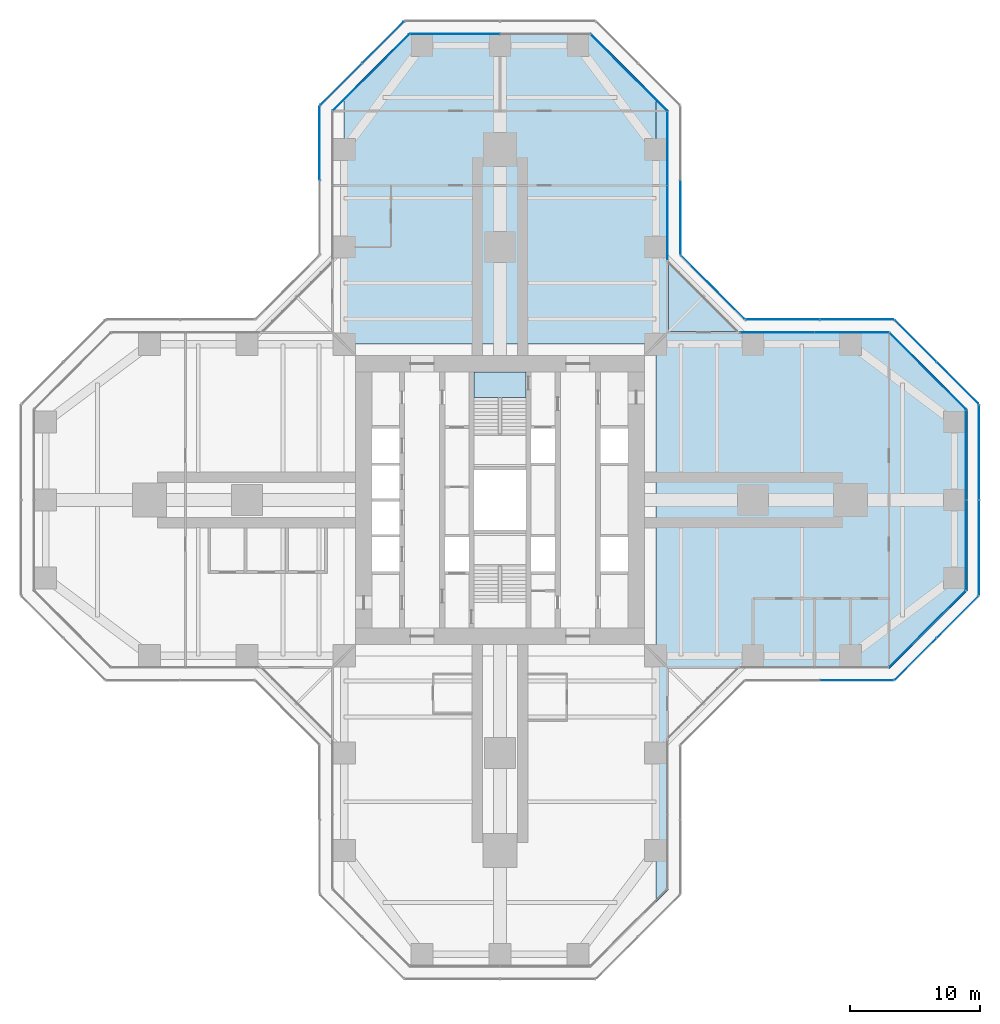
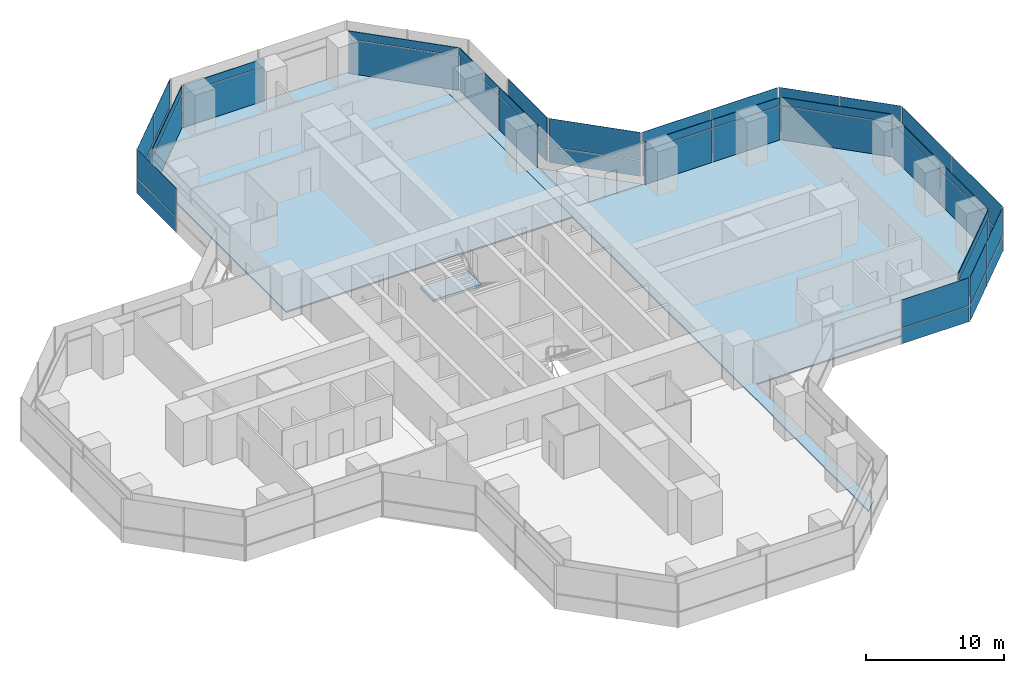
# One storey, part 16 of 22: 50 plates, 4 slabs, 18 elements without a shape of their own.
"""IFC4 building model written with IfcOpenShell, lengths in metres."""

from ifc_helpers import new_model, si_unit, direction, frame, origin, origin_2d, place, context, subcontext, project, spatial, polyline, rectangle, outline, extrude, material, layer, layer_set, type_object, element, aggregate, save


model = new_model("IFC4")

# Units and contexts
model_context = context("Model", 3, precision=1e-05, world=origin(), true_north=direction((0.0, 1.0)))
body_context = subcontext(model_context, "Body", "Model", "MODEL_VIEW")
ifc_project = project(units=[si_unit("LENGTHUNIT", "METRE"), si_unit("AREAUNIT", "SQUARE_METRE"), si_unit("VOLUMEUNIT", "CUBIC_METRE"), si_unit("PLANEANGLEUNIT", "RADIAN"), si_unit("MASSUNIT", "GRAM", prefix="KILO")], contexts=[model_context])

# Site, building, storey
site_placement = place(None, origin())
site = spatial("IfcSite", under=ifc_project, at=site_placement, CompositionType="ELEMENT")
building_placement = place(site_placement, origin())
building = spatial("IfcBuilding", under=site, at=building_placement, Name="Mizan Broadcast Tower", CompositionType="ELEMENT")
storey_placement = place(building_placement, frame((0.0, 0.0, 43.5)))
storey = spatial("IfcBuildingStorey", under=building, at=storey_placement, Name="L07", CompositionType="ELEMENT", Elevation=43.5)

# Slabs
ifc_material_1 = material(Name="Concrete C32/40", Category="concrete")
ifc_layer_1 = layer(ifc_material_1, 0.1298828125)
ifc_layer_set_1 = layer_set([ifc_layer_1], Name="Concrete C32/40")
slab_type_1 = type_object("IfcSlabType", Name="COMPOSITE DECK SLAB 130", PredefinedType="FLOOR", material=ifc_layer_set_1)
slab_1_placement = place(storey_placement, frame((0.0, 0.0, -0.1298828125)))
element("IfcSlab", 1, at=slab_1_placement, inside=storey, type_object=slab_type_1, Name="Floor slab L07 east arm", PredefinedType="FLOOR", context=body_context, shape_type="SweptSolid", body=[
    extrude(outline(polyline([(12.0, -31.0), (13.0, -30.0), (13.0, -13.0), (30.0, -13.0), (36.0, -7.0), (36.0, 7.0), (30.0, 13.0), (13.0, 13.0), (13.0, 30.0), (12.0, 31.0), (12.0, -31.0)])), origin(), (0.0, 0.0, 1.0), 0.1298828125),
])
slab_2_placement = place(storey_placement, frame((0.0, 0.0, -0.1298828125)))
element("IfcSlab", 2, at=slab_2_placement, inside=storey, type_object=slab_type_1, Name="Floor slab L07 north arm", PredefinedType="FLOOR", context=body_context, shape_type="SweptSolid", body=[
    extrude(outline(polyline([(-7.0, 36.0), (-12.0, 31.0), (-12.0, 12.0), (12.0, 12.0), (12.0, 31.0), (7.0, 36.0), (-7.0, 36.0)])), origin(), (0.0, 0.0, 1.0), 0.1298828125),
])

# Curtain wall, plate
ifc_material_2 = material(Name="Aluminium framed glazing", Category="aluminium")
curtain_wall_type_1 = type_object("IfcCurtainWallType", Name="INNER SKIN LOW ZONE", PredefinedType="USERDEFINED", material=ifc_material_2)
curtain_wall_1_placement = place(storey_placement, origin())
curtain_wall_1 = element("IfcCurtainWall", 3, at=curtain_wall_1_placement, inside=storey, type_object=curtain_wall_type_1, Name="Inner skin low zone L07 E chamfer", ObjectType="INNER SKIN LOW ZONE", PredefinedType="USERDEFINED")
ifc_material_3 = material(Name="Double glazing, clear low-e", Category="glass")
ifc_layer_2 = layer(ifc_material_3, 0.028076171875)
ifc_layer_set_2 = layer_set([ifc_layer_2], Name="Double glazing, clear low-e")
plate_type_1 = type_object("IfcPlateType", Name="INNER SKIN GLAZING UNIT", PredefinedType="CURTAIN_PANEL", material=ifc_layer_set_2)
plate_1_placement = place(storey_placement, frame((32.92919921875, -9.92919921875, 0.0), z_axis=(0.0, 0.0, 1.0), x_axis=(0.707106781187, 0.707106781187, 0.0)))
plate_1 = element("IfcPlate", 4, at=plate_1_placement, type_object=plate_type_1, Name="Inner skin low zone L07 E chamfer panel 1.1", PredefinedType="CURTAIN_PANEL", context=body_context, shape_type="SweptSolid", body=[
    extrude(rectangle(XDim=8.282470703125, YDim=0.028076171875, at=origin_2d()), origin(), (0.0, 0.0, 1.0), 3.0),
])

# Curtain wall, plates
curtain_wall_2_placement = place(storey_placement, origin())
curtain_wall_2 = element("IfcCurtainWall", 5, at=curtain_wall_2_placement, inside=storey, type_object=curtain_wall_type_1, Name="Inner skin low zone L07 E end", ObjectType="INNER SKIN LOW ZONE", PredefinedType="USERDEFINED")
plate_2_placement = place(storey_placement, frame((35.89990234375, -3.46435546875, 0.0), z_axis=(0.0, 0.0, 1.0), x_axis=(0.0, 1.0, 0.0)))
plate_2 = element("IfcPlate", 6, at=plate_2_placement, type_object=plate_type_1, Name="Inner skin low zone L07 E end panel 1.1", PredefinedType="CURTAIN_PANEL", context=body_context, shape_type="SweptSolid", body=[
    extrude(rectangle(XDim=6.86865234375, YDim=0.028076171875, at=origin_2d()), origin(), (0.0, 0.0, 1.0), 3.0),
])
plate_3_placement = place(storey_placement, frame((35.89990234375, 3.46435546875, 0.0), z_axis=(0.0, 0.0, 1.0), x_axis=(0.0, 1.0, 0.0)))
plate_3 = element("IfcPlate", 7, at=plate_3_placement, type_object=plate_type_1, Name="Inner skin low zone L07 E end panel 2.1", PredefinedType="CURTAIN_PANEL", context=body_context, shape_type="SweptSolid", body=[
    extrude(rectangle(XDim=6.86865234375, YDim=0.028076171875, at=origin_2d()), origin(), (0.0, 0.0, 1.0), 3.0),
])

# Curtain wall, plate
curtain_wall_3_placement = place(storey_placement, origin())
curtain_wall_3 = element("IfcCurtainWall", 8, at=curtain_wall_3_placement, inside=storey, type_object=curtain_wall_type_1, Name="Inner skin low zone L07 E chamfer", ObjectType="INNER SKIN LOW ZONE", PredefinedType="USERDEFINED")
plate_4_placement = place(storey_placement, frame((32.92919921875, 9.92919921875, 0.0), z_axis=(0.0, 0.0, 1.0), x_axis=(-0.707106781187, 0.707106781187, 0.0)))
plate_4 = element("IfcPlate", 9, at=plate_4_placement, type_object=plate_type_1, Name="Inner skin low zone L07 E chamfer panel 1.1", PredefinedType="CURTAIN_PANEL", context=body_context, shape_type="SweptSolid", body=[
    extrude(rectangle(XDim=8.282470703125, YDim=0.028076171875, at=origin_2d()), origin(), (0.0, 0.0, 1.0), 3.0),
])

# Curtain wall, plates
curtain_wall_4_placement = place(storey_placement, origin())
curtain_wall_4 = element("IfcCurtainWall", 10, at=curtain_wall_4_placement, inside=storey, type_object=curtain_wall_type_1, Name="Inner skin low zone L07 E side", ObjectType="INNER SKIN LOW ZONE", PredefinedType="USERDEFINED")
plate_5_placement = place(storey_placement, frame((27.078857421875, 12.89990234375, 0.0), z_axis=(0.0, 0.0, 1.0), x_axis=(-1.0, 0.0, 0.0)))
plate_5 = element("IfcPlate", 11, at=plate_5_placement, type_object=plate_type_1, Name="Inner skin low zone L07 E side panel 1.1", PredefinedType="CURTAIN_PANEL", context=body_context, shape_type="SweptSolid", body=[
    extrude(rectangle(XDim=5.639404296875, YDim=0.028076171875, at=origin_2d()), origin(), (0.0, 0.0, 1.0), 3.0),
])
plate_6_placement = place(storey_placement, frame((21.379638671875, 12.89990234375, 0.0), z_axis=(0.0, 0.0, 1.0), x_axis=(-1.0, 0.0, 0.0)))
plate_6 = element("IfcPlate", 12, at=plate_6_placement, type_object=plate_type_1, Name="Inner skin low zone L07 E side panel 2.1", PredefinedType="CURTAIN_PANEL", context=body_context, shape_type="SweptSolid", body=[
    extrude(rectangle(XDim=5.639404296875, YDim=0.028076171875, at=origin_2d()), origin(), (0.0, 0.0, 1.0), 3.0),
])

curtain_wall_5_placement = place(storey_placement, origin())
curtain_wall_5 = element("IfcCurtainWall", 13, at=curtain_wall_5_placement, inside=storey, type_object=curtain_wall_type_1, Name="Inner skin low zone L07 N side", ObjectType="INNER SKIN LOW ZONE", PredefinedType="USERDEFINED")
plate_7_placement = place(storey_placement, frame((12.89990234375, 21.379638671875, 0.0), z_axis=(0.0, 0.0, 1.0), x_axis=(0.0, 1.0, 0.0)))
plate_7 = element("IfcPlate", 14, at=plate_7_placement, type_object=plate_type_1, Name="Inner skin low zone L07 N side panel 1.1", PredefinedType="CURTAIN_PANEL", context=body_context, shape_type="SweptSolid", body=[
    extrude(rectangle(XDim=5.639404296875, YDim=0.028076171875, at=origin_2d()), origin(), (0.0, 0.0, 1.0), 3.0),
])
plate_8_placement = place(storey_placement, frame((12.89990234375, 27.078857421875, 0.0), z_axis=(0.0, 0.0, 1.0), x_axis=(0.0, 1.0, 0.0)))
plate_8 = element("IfcPlate", 15, at=plate_8_placement, type_object=plate_type_1, Name="Inner skin low zone L07 N side panel 2.1", PredefinedType="CURTAIN_PANEL", context=body_context, shape_type="SweptSolid", body=[
    extrude(rectangle(XDim=5.639404296875, YDim=0.028076171875, at=origin_2d()), origin(), (0.0, 0.0, 1.0), 3.0),
])

# Curtain wall, plate
curtain_wall_6_placement = place(storey_placement, origin())
curtain_wall_6 = element("IfcCurtainWall", 16, at=curtain_wall_6_placement, inside=storey, type_object=curtain_wall_type_1, Name="Inner skin low zone L07 N chamfer", ObjectType="INNER SKIN LOW ZONE", PredefinedType="USERDEFINED")
plate_9_placement = place(storey_placement, frame((9.92919921875, 32.92919921875, 0.0), z_axis=(0.0, 0.0, 1.0), x_axis=(-0.707106781187, 0.707106781187, 0.0)))
plate_9 = element("IfcPlate", 17, at=plate_9_placement, type_object=plate_type_1, Name="Inner skin low zone L07 N chamfer panel 1.1", PredefinedType="CURTAIN_PANEL", context=body_context, shape_type="SweptSolid", body=[
    extrude(rectangle(XDim=8.282470703125, YDim=0.028076171875, at=origin_2d()), origin(), (0.0, 0.0, 1.0), 3.0),
])

curtain_wall_7_placement = place(storey_placement, origin())
curtain_wall_7 = element("IfcCurtainWall", 18, at=curtain_wall_7_placement, inside=storey, type_object=curtain_wall_type_1, Name="Inner skin low zone L07 N end", ObjectType="INNER SKIN LOW ZONE", PredefinedType="USERDEFINED")
plate_10_placement = place(storey_placement, frame((-3.46435546875, 35.89990234375, 0.0), z_axis=(0.0, 0.0, 1.0), x_axis=(-1.0, 0.0, 0.0)))
plate_10 = element("IfcPlate", 19, at=plate_10_placement, type_object=plate_type_1, Name="Inner skin low zone L07 N end panel 2.1", PredefinedType="CURTAIN_PANEL", context=body_context, shape_type="SweptSolid", body=[
    extrude(rectangle(XDim=6.86865234375, YDim=0.028076171875, at=origin_2d()), origin(), (0.0, 0.0, 1.0), 3.0),
])

curtain_wall_8_placement = place(storey_placement, origin())
curtain_wall_8 = element("IfcCurtainWall", 20, at=curtain_wall_8_placement, inside=storey, type_object=curtain_wall_type_1, Name="Inner skin low zone L07 N chamfer", ObjectType="INNER SKIN LOW ZONE", PredefinedType="USERDEFINED")
plate_11_placement = place(storey_placement, frame((-9.92919921875, 32.92919921875, 0.0), z_axis=(0.0, 0.0, 1.0), x_axis=(-0.707106781187, -0.707106781187, 0.0)))
plate_11 = element("IfcPlate", 21, at=plate_11_placement, type_object=plate_type_1, Name="Inner skin low zone L07 N chamfer panel 1.1", PredefinedType="CURTAIN_PANEL", context=body_context, shape_type="SweptSolid", body=[
    extrude(rectangle(XDim=8.282470703125, YDim=0.028076171875, at=origin_2d()), origin(), (0.0, 0.0, 1.0), 3.0),
])

# Plate
ifc_material_4 = material(Name="Insulated aluminium spandrel panel, pale anodised", Category="aluminium")
ifc_layer_3 = layer(ifc_material_4, 0.050048828125)
ifc_layer_set_3 = layer_set([ifc_layer_3], Name="Insulated aluminium spandrel panel, pale anodised")
plate_type_2 = type_object("IfcPlateType", Name="INNER SKIN SPANDREL PANEL", PredefinedType="CURTAIN_PANEL", material=ifc_layer_set_3)
plate_12_placement = place(storey_placement, frame((32.92919921875, -9.92919921875, 3.06005859375), z_axis=(0.0, 0.0, 1.0), x_axis=(0.707106781187, 0.707106781187, 0.0)))
plate_12 = element("IfcPlate", 22, at=plate_12_placement, type_object=plate_type_2, Name="Inner skin low zone L07 E chamfer panel 1.2", PredefinedType="CURTAIN_PANEL", context=body_context, shape_type="SweptSolid", body=[
    extrude(rectangle(XDim=8.282470703125, YDim=0.050048828125, at=origin_2d()), origin(), (0.0, 0.0, 1.0), 0.7099609375),
])

aggregate(curtain_wall_1, [plate_1, plate_12])

plate_13_placement = place(storey_placement, frame((35.89990234375, -3.46435546875, 3.06005859375), z_axis=(0.0, 0.0, 1.0), x_axis=(0.0, 1.0, 0.0)))
plate_13 = element("IfcPlate", 23, at=plate_13_placement, type_object=plate_type_2, Name="Inner skin low zone L07 E end panel 1.2", PredefinedType="CURTAIN_PANEL", context=body_context, shape_type="SweptSolid", body=[
    extrude(rectangle(XDim=6.86865234375, YDim=0.050048828125, at=origin_2d()), origin(), (0.0, 0.0, 1.0), 0.7099609375),
])

plate_14_placement = place(storey_placement, frame((35.89990234375, 3.46435546875, 3.06005859375), z_axis=(0.0, 0.0, 1.0), x_axis=(0.0, 1.0, 0.0)))
plate_14 = element("IfcPlate", 24, at=plate_14_placement, type_object=plate_type_2, Name="Inner skin low zone L07 E end panel 2.2", PredefinedType="CURTAIN_PANEL", context=body_context, shape_type="SweptSolid", body=[
    extrude(rectangle(XDim=6.86865234375, YDim=0.050048828125, at=origin_2d()), origin(), (0.0, 0.0, 1.0), 0.7099609375),
])

aggregate(curtain_wall_2, [plate_2, plate_13, plate_3, plate_14])

plate_15_placement = place(storey_placement, frame((32.92919921875, 9.92919921875, 3.06005859375), z_axis=(0.0, 0.0, 1.0), x_axis=(-0.707106781187, 0.707106781187, 0.0)))
plate_15 = element("IfcPlate", 25, at=plate_15_placement, type_object=plate_type_2, Name="Inner skin low zone L07 E chamfer panel 1.2", PredefinedType="CURTAIN_PANEL", context=body_context, shape_type="SweptSolid", body=[
    extrude(rectangle(XDim=8.282470703125, YDim=0.050048828125, at=origin_2d()), origin(), (0.0, 0.0, 1.0), 0.7099609375),
])

aggregate(curtain_wall_3, [plate_4, plate_15])

plate_16_placement = place(storey_placement, frame((27.078857421875, 12.89990234375, 3.06005859375), z_axis=(0.0, 0.0, 1.0), x_axis=(-1.0, 0.0, 0.0)))
plate_16 = element("IfcPlate", 26, at=plate_16_placement, type_object=plate_type_2, Name="Inner skin low zone L07 E side panel 1.2", PredefinedType="CURTAIN_PANEL", context=body_context, shape_type="SweptSolid", body=[
    extrude(rectangle(XDim=5.639404296875, YDim=0.050048828125, at=origin_2d()), origin(), (0.0, 0.0, 1.0), 0.7099609375),
])

plate_17_placement = place(storey_placement, frame((21.379638671875, 12.89990234375, 3.06005859375), z_axis=(0.0, 0.0, 1.0), x_axis=(-1.0, 0.0, 0.0)))
plate_17 = element("IfcPlate", 27, at=plate_17_placement, type_object=plate_type_2, Name="Inner skin low zone L07 E side panel 2.2", PredefinedType="CURTAIN_PANEL", context=body_context, shape_type="SweptSolid", body=[
    extrude(rectangle(XDim=5.639404296875, YDim=0.050048828125, at=origin_2d()), origin(), (0.0, 0.0, 1.0), 0.7099609375),
])

aggregate(curtain_wall_4, [plate_5, plate_16, plate_6, plate_17])

plate_18_placement = place(storey_placement, frame((12.89990234375, 21.379638671875, 3.06005859375), z_axis=(0.0, 0.0, 1.0), x_axis=(0.0, 1.0, 0.0)))
plate_18 = element("IfcPlate", 28, at=plate_18_placement, type_object=plate_type_2, Name="Inner skin low zone L07 N side panel 1.2", PredefinedType="CURTAIN_PANEL", context=body_context, shape_type="SweptSolid", body=[
    extrude(rectangle(XDim=5.639404296875, YDim=0.050048828125, at=origin_2d()), origin(), (0.0, 0.0, 1.0), 0.7099609375),
])

plate_19_placement = place(storey_placement, frame((12.89990234375, 27.078857421875, 3.06005859375), z_axis=(0.0, 0.0, 1.0), x_axis=(0.0, 1.0, 0.0)))
plate_19 = element("IfcPlate", 29, at=plate_19_placement, type_object=plate_type_2, Name="Inner skin low zone L07 N side panel 2.2", PredefinedType="CURTAIN_PANEL", context=body_context, shape_type="SweptSolid", body=[
    extrude(rectangle(XDim=5.639404296875, YDim=0.050048828125, at=origin_2d()), origin(), (0.0, 0.0, 1.0), 0.7099609375),
])

aggregate(curtain_wall_5, [plate_7, plate_18, plate_8, plate_19])

plate_20_placement = place(storey_placement, frame((9.92919921875, 32.92919921875, 3.06005859375), z_axis=(0.0, 0.0, 1.0), x_axis=(-0.707106781187, 0.707106781187, 0.0)))
plate_20 = element("IfcPlate", 30, at=plate_20_placement, type_object=plate_type_2, Name="Inner skin low zone L07 N chamfer panel 1.2", PredefinedType="CURTAIN_PANEL", context=body_context, shape_type="SweptSolid", body=[
    extrude(rectangle(XDim=8.282470703125, YDim=0.050048828125, at=origin_2d()), origin(), (0.0, 0.0, 1.0), 0.7099609375),
])

aggregate(curtain_wall_6, [plate_9, plate_20])

plate_21_placement = place(storey_placement, frame((-3.46435546875, 35.89990234375, 3.06005859375), z_axis=(0.0, 0.0, 1.0), x_axis=(-1.0, 0.0, 0.0)))
plate_21 = element("IfcPlate", 31, at=plate_21_placement, type_object=plate_type_2, Name="Inner skin low zone L07 N end panel 2.2", PredefinedType="CURTAIN_PANEL", context=body_context, shape_type="SweptSolid", body=[
    extrude(rectangle(XDim=6.86865234375, YDim=0.050048828125, at=origin_2d()), origin(), (0.0, 0.0, 1.0), 0.7099609375),
])

aggregate(curtain_wall_7, [plate_10, plate_21])

plate_22_placement = place(storey_placement, frame((-9.92919921875, 32.92919921875, 3.06005859375), z_axis=(0.0, 0.0, 1.0), x_axis=(-0.707106781187, -0.707106781187, 0.0)))
plate_22 = element("IfcPlate", 32, at=plate_22_placement, type_object=plate_type_2, Name="Inner skin low zone L07 N chamfer panel 1.2", PredefinedType="CURTAIN_PANEL", context=body_context, shape_type="SweptSolid", body=[
    extrude(rectangle(XDim=8.282470703125, YDim=0.050048828125, at=origin_2d()), origin(), (0.0, 0.0, 1.0), 0.7099609375),
])

aggregate(curtain_wall_8, [plate_11, plate_22])

# Curtain wall, plates
ifc_material_5 = material(Name="Aluminium framed glazing", Category="aluminium")
curtain_wall_type_2 = type_object("IfcCurtainWallType", Name="OUTER SKIN", PredefinedType="USERDEFINED", material=ifc_material_5)
curtain_wall_9_placement = place(storey_placement, origin())
curtain_wall_9 = element("IfcCurtainWall", 33, at=curtain_wall_9_placement, inside=storey, type_object=curtain_wall_type_2, Name="Outer skin L07 E chamfer", ObjectType="OUTER SKIN", PredefinedType="USERDEFINED")
ifc_material_6 = material(Name="Laminated clear glass", Category="glass")
ifc_layer_4 = layer(ifc_material_6, 0.02001953125)
ifc_layer_set_4 = layer_set([ifc_layer_4], Name="Laminated clear glass")
plate_type_3 = type_object("IfcPlateType", Name="OUTER SKIN CLEAR GLASS", PredefinedType="CURTAIN_PANEL", material=ifc_layer_set_4)
plate_23_placement = place(storey_placement, frame((32.018798828125, -12.254150390625, 0.0), z_axis=(0.0, 0.0, 1.0), x_axis=(0.707106781187, 0.707106781187, 0.0)))
plate_23 = element("IfcPlate", 34, at=plate_23_placement, type_object=plate_type_3, Name="Outer skin L07 E chamfer panel 1.1", PredefinedType="CURTAIN_PANEL", context=body_context, shape_type="SweptSolid", body=[
    extrude(rectangle(XDim=4.495361328125, YDim=0.02001953125, at=origin_2d()), origin(), (0.0, 0.0, 1.0), 1.3701171875),
])
plate_24_placement = place(storey_placement, frame((32.018798828125, -12.254150390625, 1.43017578125), z_axis=(0.0, 0.0, 1.0), x_axis=(0.707106781187, 0.707106781187, 0.0)))
plate_24 = element("IfcPlate", 35, at=plate_24_placement, type_object=plate_type_3, Name="Outer skin L07 E chamfer panel 1.2", PredefinedType="CURTAIN_PANEL", context=body_context, shape_type="SweptSolid", body=[
    extrude(rectangle(XDim=4.495361328125, YDim=0.02001953125, at=origin_2d()), origin(), (0.0, 0.0, 1.0), 2.469970703125),
])

curtain_wall_10_placement = place(storey_placement, origin())
curtain_wall_10 = element("IfcCurtainWall", 36, at=curtain_wall_10_placement, inside=storey, type_object=curtain_wall_type_2, Name="Outer skin L07 E end", ObjectType="OUTER SKIN", PredefinedType="USERDEFINED")
plate_25_placement = place(storey_placement, frame((36.89990234375, -3.66650390625, 0.0), z_axis=(0.0, 0.0, 1.0), x_axis=(0.0, 1.0, 0.0)))
plate_25 = element("IfcPlate", 37, at=plate_25_placement, type_object=plate_type_3, Name="Outer skin L07 E end panel 1.1", PredefinedType="CURTAIN_PANEL", context=body_context, shape_type="SweptSolid", body=[
    extrude(rectangle(XDim=7.252685546875, YDim=0.02001953125, at=origin_2d()), origin(), (0.0, 0.0, 1.0), 1.3701171875),
])
plate_26_placement = place(storey_placement, frame((36.89990234375, -3.66650390625, 1.43017578125), z_axis=(0.0, 0.0, 1.0), x_axis=(0.0, 1.0, 0.0)))
plate_26 = element("IfcPlate", 38, at=plate_26_placement, type_object=plate_type_3, Name="Outer skin L07 E end panel 1.2", PredefinedType="CURTAIN_PANEL", context=body_context, shape_type="SweptSolid", body=[
    extrude(rectangle(XDim=7.252685546875, YDim=0.02001953125, at=origin_2d()), origin(), (0.0, 0.0, 1.0), 2.469970703125),
])

curtain_wall_11_placement = place(storey_placement, origin())
curtain_wall_11 = element("IfcCurtainWall", 39, at=curtain_wall_11_placement, inside=storey, type_object=curtain_wall_type_2, Name="Outer skin L07 E chamfer", ObjectType="OUTER SKIN", PredefinedType="USERDEFINED")
plate_27_placement = place(storey_placement, frame((35.254150390625, 9.018798828125, 0.0), z_axis=(0.0, 0.0, 1.0), x_axis=(-0.707106781187, 0.707106781187, 0.0)))
plate_27 = element("IfcPlate", 40, at=plate_27_placement, type_object=plate_type_3, Name="Outer skin L07 E chamfer panel 1.1", PredefinedType="CURTAIN_PANEL", context=body_context, shape_type="SweptSolid", body=[
    extrude(rectangle(XDim=4.495361328125, YDim=0.02001953125, at=origin_2d()), origin(), (0.0, 0.0, 1.0), 1.3701171875),
])
plate_28_placement = place(storey_placement, frame((35.254150390625, 9.018798828125, 1.43017578125), z_axis=(0.0, 0.0, 1.0), x_axis=(-0.707106781187, 0.707106781187, 0.0)))
plate_28 = element("IfcPlate", 41, at=plate_28_placement, type_object=plate_type_3, Name="Outer skin L07 E chamfer panel 1.2", PredefinedType="CURTAIN_PANEL", context=body_context, shape_type="SweptSolid", body=[
    extrude(rectangle(XDim=4.495361328125, YDim=0.02001953125, at=origin_2d()), origin(), (0.0, 0.0, 1.0), 2.469970703125),
])

curtain_wall_12_placement = place(storey_placement, origin())
curtain_wall_12 = element("IfcCurtainWall", 42, at=curtain_wall_12_placement, inside=storey, type_object=curtain_wall_type_2, Name="Outer skin L07 E side", ObjectType="OUTER SKIN", PredefinedType="USERDEFINED")
plate_29_placement = place(storey_placement, frame((27.477783203125, 13.89990234375, 0.0), z_axis=(0.0, 0.0, 1.0), x_axis=(-1.0, 0.0, 0.0)))
plate_29 = element("IfcPlate", 43, at=plate_29_placement, type_object=plate_type_3, Name="Outer skin L07 E side panel 1.1", PredefinedType="CURTAIN_PANEL", context=body_context, shape_type="SweptSolid", body=[
    extrude(rectangle(XDim=5.6298828125, YDim=0.02001953125, at=origin_2d()), origin(), (0.0, 0.0, 1.0), 1.3701171875),
])
plate_30_placement = place(storey_placement, frame((27.477783203125, 13.89990234375, 1.43017578125), z_axis=(0.0, 0.0, 1.0), x_axis=(-1.0, 0.0, 0.0)))
plate_30 = element("IfcPlate", 44, at=plate_30_placement, type_object=plate_type_3, Name="Outer skin L07 E side panel 1.2", PredefinedType="CURTAIN_PANEL", context=body_context, shape_type="SweptSolid", body=[
    extrude(rectangle(XDim=5.6298828125, YDim=0.02001953125, at=origin_2d()), origin(), (0.0, 0.0, 1.0), 2.469970703125),
])
plate_31_placement = place(storey_placement, frame((21.767822265625, 13.89990234375, 0.0), z_axis=(0.0, 0.0, 1.0), x_axis=(-1.0, 0.0, 0.0)))
plate_31 = element("IfcPlate", 45, at=plate_31_placement, type_object=plate_type_3, Name="Outer skin L07 E side panel 2.1", PredefinedType="CURTAIN_PANEL", context=body_context, shape_type="SweptSolid", body=[
    extrude(rectangle(XDim=5.6298828125, YDim=0.02001953125, at=origin_2d()), origin(), (0.0, 0.0, 1.0), 1.3701171875),
])
plate_32_placement = place(storey_placement, frame((21.767822265625, 13.89990234375, 1.43017578125), z_axis=(0.0, 0.0, 1.0), x_axis=(-1.0, 0.0, 0.0)))
plate_32 = element("IfcPlate", 46, at=plate_32_placement, type_object=plate_type_3, Name="Outer skin L07 E side panel 2.2", PredefinedType="CURTAIN_PANEL", context=body_context, shape_type="SweptSolid", body=[
    extrude(rectangle(XDim=5.6298828125, YDim=0.02001953125, at=origin_2d()), origin(), (0.0, 0.0, 1.0), 2.469970703125),
])
aggregate(curtain_wall_12, [plate_29, plate_30, plate_31, plate_32])

curtain_wall_13_placement = place(storey_placement, origin())
curtain_wall_13 = element("IfcCurtainWall", 47, at=curtain_wall_13_placement, inside=storey, type_object=curtain_wall_type_2, Name="Outer skin L07 E chamfer", ObjectType="OUTER SKIN", PredefinedType="USERDEFINED")
plate_33_placement = place(storey_placement, frame((16.386474609375, 16.386474609375, 0.0), z_axis=(0.0, 0.0, 1.0), x_axis=(-0.707106781187, 0.707106781187, 0.0)))
plate_33 = element("IfcPlate", 48, at=plate_33_placement, type_object=plate_type_3, Name="Outer skin L07 E chamfer panel 1.1", PredefinedType="CURTAIN_PANEL", context=body_context, shape_type="SweptSolid", body=[
    extrude(rectangle(XDim=6.87255859375, YDim=0.02001953125, at=origin_2d()), origin(), (0.0, 0.0, 1.0), 1.3701171875),
])
plate_34_placement = place(storey_placement, frame((16.386474609375, 16.386474609375, 1.43017578125), z_axis=(0.0, 0.0, 1.0), x_axis=(-0.707106781187, 0.707106781187, 0.0)))
plate_34 = element("IfcPlate", 49, at=plate_34_placement, type_object=plate_type_3, Name="Outer skin L07 E chamfer panel 1.2", PredefinedType="CURTAIN_PANEL", context=body_context, shape_type="SweptSolid", body=[
    extrude(rectangle(XDim=6.87255859375, YDim=0.02001953125, at=origin_2d()), origin(), (0.0, 0.0, 1.0), 2.469970703125),
])
aggregate(curtain_wall_13, [plate_33, plate_34])

curtain_wall_14_placement = place(storey_placement, origin())
curtain_wall_14 = element("IfcCurtainWall", 50, at=curtain_wall_14_placement, inside=storey, type_object=curtain_wall_type_2, Name="Outer skin L07 N side", ObjectType="OUTER SKIN", PredefinedType="USERDEFINED")
plate_35_placement = place(storey_placement, frame((13.89990234375, 21.767822265625, 0.0), z_axis=(0.0, 0.0, 1.0), x_axis=(0.0, 1.0, 0.0)))
plate_35 = element("IfcPlate", 51, at=plate_35_placement, type_object=plate_type_3, Name="Outer skin L07 N side panel 1.1", PredefinedType="CURTAIN_PANEL", context=body_context, shape_type="SweptSolid", body=[
    extrude(rectangle(XDim=5.6298828125, YDim=0.02001953125, at=origin_2d()), origin(), (0.0, 0.0, 1.0), 1.3701171875),
])
plate_36_placement = place(storey_placement, frame((13.89990234375, 21.767822265625, 1.43017578125), z_axis=(0.0, 0.0, 1.0), x_axis=(0.0, 1.0, 0.0)))
plate_36 = element("IfcPlate", 52, at=plate_36_placement, type_object=plate_type_3, Name="Outer skin L07 N side panel 1.2", PredefinedType="CURTAIN_PANEL", context=body_context, shape_type="SweptSolid", body=[
    extrude(rectangle(XDim=5.6298828125, YDim=0.02001953125, at=origin_2d()), origin(), (0.0, 0.0, 1.0), 2.469970703125),
])
aggregate(curtain_wall_14, [plate_35, plate_36])

curtain_wall_15_placement = place(storey_placement, origin())
curtain_wall_15 = element("IfcCurtainWall", 53, at=curtain_wall_15_placement, inside=storey, type_object=curtain_wall_type_2, Name="Outer skin L07 N chamfer", ObjectType="OUTER SKIN", PredefinedType="USERDEFINED")
plate_37_placement = place(storey_placement, frame((-9.018798828125, 35.254150390625, 0.0), z_axis=(0.0, 0.0, 1.0), x_axis=(-0.707106781187, -0.707106781187, 0.0)))
plate_37 = element("IfcPlate", 54, at=plate_37_placement, type_object=plate_type_3, Name="Outer skin L07 N chamfer panel 1.1", PredefinedType="CURTAIN_PANEL", context=body_context, shape_type="SweptSolid", body=[
    extrude(rectangle(XDim=4.495361328125, YDim=0.02001953125, at=origin_2d()), origin(), (0.0, 0.0, 1.0), 1.3701171875),
])
plate_38_placement = place(storey_placement, frame((-9.018798828125, 35.254150390625, 1.43017578125), z_axis=(0.0, 0.0, 1.0), x_axis=(-0.707106781187, -0.707106781187, 0.0)))
plate_38 = element("IfcPlate", 55, at=plate_38_placement, type_object=plate_type_3, Name="Outer skin L07 N chamfer panel 1.2", PredefinedType="CURTAIN_PANEL", context=body_context, shape_type="SweptSolid", body=[
    extrude(rectangle(XDim=4.495361328125, YDim=0.02001953125, at=origin_2d()), origin(), (0.0, 0.0, 1.0), 2.469970703125),
])

curtain_wall_16_placement = place(storey_placement, origin())
curtain_wall_16 = element("IfcCurtainWall", 56, at=curtain_wall_16_placement, inside=storey, type_object=curtain_wall_type_2, Name="Outer skin L07 N side", ObjectType="OUTER SKIN", PredefinedType="USERDEFINED")
plate_39_placement = place(storey_placement, frame((-13.89990234375, 27.477783203125, 0.0), z_axis=(0.0, 0.0, 1.0), x_axis=(0.0, -1.0, 0.0)))
plate_39 = element("IfcPlate", 57, at=plate_39_placement, type_object=plate_type_3, Name="Outer skin L07 N side panel 1.1", PredefinedType="CURTAIN_PANEL", context=body_context, shape_type="SweptSolid", body=[
    extrude(rectangle(XDim=5.6298828125, YDim=0.02001953125, at=origin_2d()), origin(), (0.0, 0.0, 1.0), 1.3701171875),
])
plate_40_placement = place(storey_placement, frame((-13.89990234375, 27.477783203125, 1.43017578125), z_axis=(0.0, 0.0, 1.0), x_axis=(0.0, -1.0, 0.0)))
plate_40 = element("IfcPlate", 58, at=plate_40_placement, type_object=plate_type_3, Name="Outer skin L07 N side panel 1.2", PredefinedType="CURTAIN_PANEL", context=body_context, shape_type="SweptSolid", body=[
    extrude(rectangle(XDim=5.6298828125, YDim=0.02001953125, at=origin_2d()), origin(), (0.0, 0.0, 1.0), 2.469970703125),
])
aggregate(curtain_wall_16, [plate_39, plate_40])

# Plate
ifc_material_7 = material(Name="Perforated aluminium, pale anodised", Category="aluminium")
ifc_layer_5 = layer(ifc_material_7, 0.011962890625)
ifc_layer_set_5 = layer_set([ifc_layer_5], Name="Perforated aluminium, pale anodised")
plate_type_4 = type_object("IfcPlateType", Name="OUTER SKIN PERFORATED SCREEN", PredefinedType="USERDEFINED", material=ifc_layer_set_5)
plate_41_placement = place(storey_placement, frame((35.254150390625, -9.018798828125, 0.0), z_axis=(0.0, 0.0, 1.0), x_axis=(0.707106781187, 0.707106781187, 0.0)))
plate_41 = element("IfcPlate", 59, at=plate_41_placement, type_object=plate_type_4, Name="Outer skin L07 E chamfer panel 2.1", ObjectType="SCREEN", PredefinedType="USERDEFINED", context=body_context, shape_type="SweptSolid", body=[
    extrude(rectangle(XDim=4.495361328125, YDim=0.011962890625, at=origin_2d()), origin(), (0.0, 0.0, 1.0), 1.3701171875),
])

plate_42_placement = place(storey_placement, frame((35.254150390625, -9.018798828125, 1.43017578125), z_axis=(0.0, 0.0, 1.0), x_axis=(0.707106781187, 0.707106781187, 0.0)))
plate_42 = element("IfcPlate", 60, at=plate_42_placement, type_object=plate_type_4, Name="Outer skin L07 E chamfer panel 2.2", ObjectType="SCREEN", PredefinedType="USERDEFINED", context=body_context, shape_type="SweptSolid", body=[
    extrude(rectangle(XDim=4.495361328125, YDim=0.011962890625, at=origin_2d()), origin(), (0.0, 0.0, 1.0), 2.469970703125),
])

aggregate(curtain_wall_9, [plate_23, plate_24, plate_41, plate_42])

plate_43_placement = place(storey_placement, frame((36.89990234375, 3.66650390625, 0.0), z_axis=(0.0, 0.0, 1.0), x_axis=(0.0, 1.0, 0.0)))
plate_43 = element("IfcPlate", 61, at=plate_43_placement, type_object=plate_type_4, Name="Outer skin L07 E end panel 2.1", ObjectType="SCREEN", PredefinedType="USERDEFINED", context=body_context, shape_type="SweptSolid", body=[
    extrude(rectangle(XDim=7.252685546875, YDim=0.011962890625, at=origin_2d()), origin(), (0.0, 0.0, 1.0), 1.3701171875),
])

plate_44_placement = place(storey_placement, frame((36.89990234375, 3.66650390625, 1.43017578125), z_axis=(0.0, 0.0, 1.0), x_axis=(0.0, 1.0, 0.0)))
plate_44 = element("IfcPlate", 62, at=plate_44_placement, type_object=plate_type_4, Name="Outer skin L07 E end panel 2.2", ObjectType="SCREEN", PredefinedType="USERDEFINED", context=body_context, shape_type="SweptSolid", body=[
    extrude(rectangle(XDim=7.252685546875, YDim=0.011962890625, at=origin_2d()), origin(), (0.0, 0.0, 1.0), 2.469970703125),
])

aggregate(curtain_wall_10, [plate_25, plate_26, plate_43, plate_44])

plate_45_placement = place(storey_placement, frame((32.018798828125, 12.254150390625, 0.0), z_axis=(0.0, 0.0, 1.0), x_axis=(-0.707106781187, 0.707106781187, 0.0)))
plate_45 = element("IfcPlate", 63, at=plate_45_placement, type_object=plate_type_4, Name="Outer skin L07 E chamfer panel 2.1", ObjectType="SCREEN", PredefinedType="USERDEFINED", context=body_context, shape_type="SweptSolid", body=[
    extrude(rectangle(XDim=4.495361328125, YDim=0.011962890625, at=origin_2d()), origin(), (0.0, 0.0, 1.0), 1.3701171875),
])

plate_46_placement = place(storey_placement, frame((32.018798828125, 12.254150390625, 1.43017578125), z_axis=(0.0, 0.0, 1.0), x_axis=(-0.707106781187, 0.707106781187, 0.0)))
plate_46 = element("IfcPlate", 64, at=plate_46_placement, type_object=plate_type_4, Name="Outer skin L07 E chamfer panel 2.2", ObjectType="SCREEN", PredefinedType="USERDEFINED", context=body_context, shape_type="SweptSolid", body=[
    extrude(rectangle(XDim=4.495361328125, YDim=0.011962890625, at=origin_2d()), origin(), (0.0, 0.0, 1.0), 2.469970703125),
])

aggregate(curtain_wall_11, [plate_27, plate_28, plate_45, plate_46])

plate_47_placement = place(storey_placement, frame((-12.254150390625, 32.018798828125, 0.0), z_axis=(0.0, 0.0, 1.0), x_axis=(-0.707106781187, -0.707106781187, 0.0)))
plate_47 = element("IfcPlate", 65, at=plate_47_placement, type_object=plate_type_4, Name="Outer skin L07 N chamfer panel 2.1", ObjectType="SCREEN", PredefinedType="USERDEFINED", context=body_context, shape_type="SweptSolid", body=[
    extrude(rectangle(XDim=4.495361328125, YDim=0.011962890625, at=origin_2d()), origin(), (0.0, 0.0, 1.0), 1.3701171875),
])

plate_48_placement = place(storey_placement, frame((-12.254150390625, 32.018798828125, 1.43017578125), z_axis=(0.0, 0.0, 1.0), x_axis=(-0.707106781187, -0.707106781187, 0.0)))
plate_48 = element("IfcPlate", 66, at=plate_48_placement, type_object=plate_type_4, Name="Outer skin L07 N chamfer panel 2.2", ObjectType="SCREEN", PredefinedType="USERDEFINED", context=body_context, shape_type="SweptSolid", body=[
    extrude(rectangle(XDim=4.495361328125, YDim=0.011962890625, at=origin_2d()), origin(), (0.0, 0.0, 1.0), 2.469970703125),
])

aggregate(curtain_wall_15, [plate_37, plate_38, plate_47, plate_48])

# Curtain wall, plates
curtain_wall_17_placement = place(storey_placement, origin())
curtain_wall_17 = element("IfcCurtainWall", 67, at=curtain_wall_17_placement, inside=storey, type_object=curtain_wall_type_2, Name="Outer skin L07 E side", ObjectType="OUTER SKIN", PredefinedType="USERDEFINED")
plate_49_placement = place(storey_placement, frame((27.477783203125, -13.89990234375, 0.0), z_axis=(0.0, 0.0, 1.0), x_axis=(1.0, 0.0, 0.0)))
plate_49 = element("IfcPlate", 68, at=plate_49_placement, type_object=plate_type_4, Name="Outer skin L07 E side panel 2.1", ObjectType="SCREEN", PredefinedType="USERDEFINED", context=body_context, shape_type="SweptSolid", body=[
    extrude(rectangle(XDim=5.6298828125, YDim=0.011962890625, at=origin_2d()), origin(), (0.0, 0.0, 1.0), 1.3701171875),
])
plate_50_placement = place(storey_placement, frame((27.477783203125, -13.89990234375, 1.43017578125), z_axis=(0.0, 0.0, 1.0), x_axis=(1.0, 0.0, 0.0)))
plate_50 = element("IfcPlate", 69, at=plate_50_placement, type_object=plate_type_4, Name="Outer skin L07 E side panel 2.2", ObjectType="SCREEN", PredefinedType="USERDEFINED", context=body_context, shape_type="SweptSolid", body=[
    extrude(rectangle(XDim=5.6298828125, YDim=0.011962890625, at=origin_2d()), origin(), (0.0, 0.0, 1.0), 2.469970703125),
])
aggregate(curtain_wall_17, [plate_49, plate_50])

# Stair, slab
ifc_material_8 = material(Name="Concrete C40/50", Category="concrete")
stair_type = type_object("IfcStairType", Name="EXIT STAIR", PredefinedType="HALF_TURN_STAIR", material=ifc_material_8)
stair_placement = place(storey_placement, origin())
stair = element("IfcStair", 70, at=stair_placement, inside=storey, type_object=stair_type, Name="Stair B L07", PredefinedType="HALF_TURN_STAIR")
ifc_material_9 = material(Name="Concrete C40/50", Category="concrete")
ifc_layer_6 = layer(ifc_material_9, 0.199951171875)
ifc_layer_set_6 = layer_set([ifc_layer_6], Name="Concrete C40/50")
slab_type_2 = type_object("IfcSlabType", Name="STAIR LANDING 200", PredefinedType="LANDING", material=ifc_layer_set_6)
slab_3_placement = place(storey_placement, frame((0.0, 0.0, -0.199951171875)))
slab_3 = element("IfcSlab", 71, at=slab_3_placement, type_object=slab_type_2, Name="B landing 1", PredefinedType="LANDING", context=body_context, shape_type="SweptSolid", body=[
    extrude(outline(polyline([(2.0, 9.85009765625), (2.0, 7.89990234375), (-2.0, 7.89990234375), (-2.0, 9.85009765625), (2.0, 9.85009765625)])), origin(), (0.0, 0.0, 1.0), 0.199951171875),
])
aggregate(stair, [slab_3])

# Slab
ifc_material_10 = material(Name="Concrete C32/40", Category="concrete")
ifc_layer_7 = layer(ifc_material_10, 0.1298828125)
ifc_layer_set_7 = layer_set([ifc_layer_7], Name="Concrete C32/40")
slab_type_3 = type_object("IfcSlabType", Name="WINTER GARDEN SLAB 130", PredefinedType="FLOOR", material=ifc_layer_set_7)
slab_4_placement = place(storey_placement, frame((0.0, 0.0, -0.1298828125)))
element("IfcSlab", 72, at=slab_4_placement, inside=storey, type_object=slab_type_3, Name="Winter garden slab L07 E", PredefinedType="FLOOR", context=body_context, shape_type="SweptSolid", body=[
    extrude(outline(polyline([(13.0, 13.0), (18.5, 13.0), (13.0, 18.5), (13.0, 13.0)])), origin(), (0.0, 0.0, 1.0), 0.1298828125),
])

save(model, "model.ifc")
